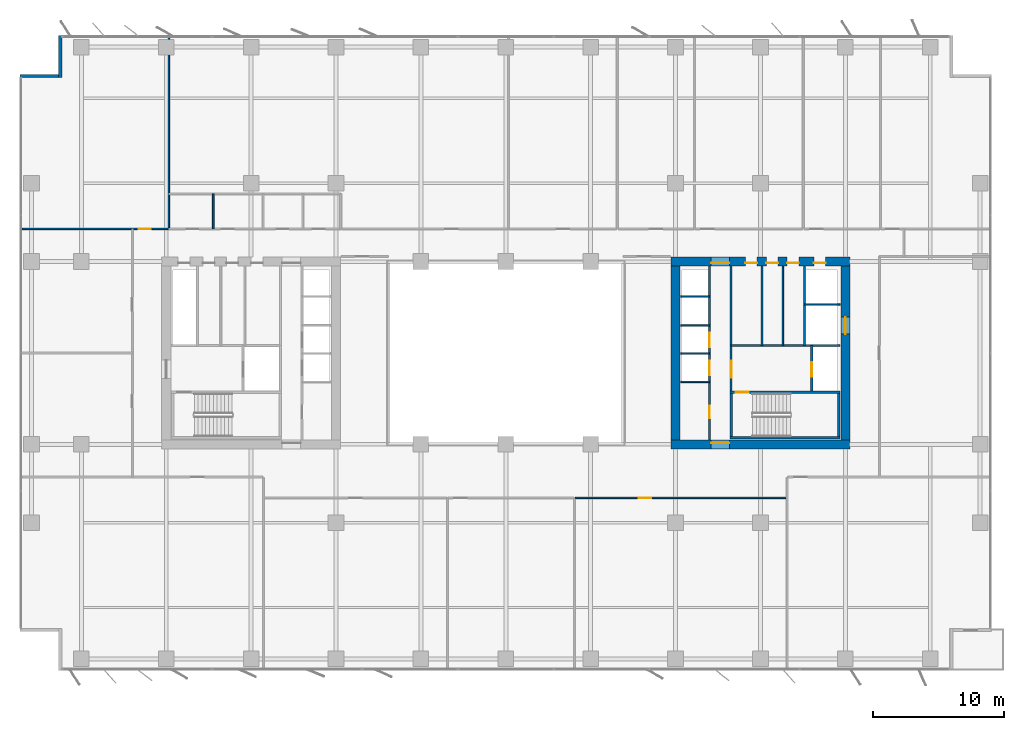
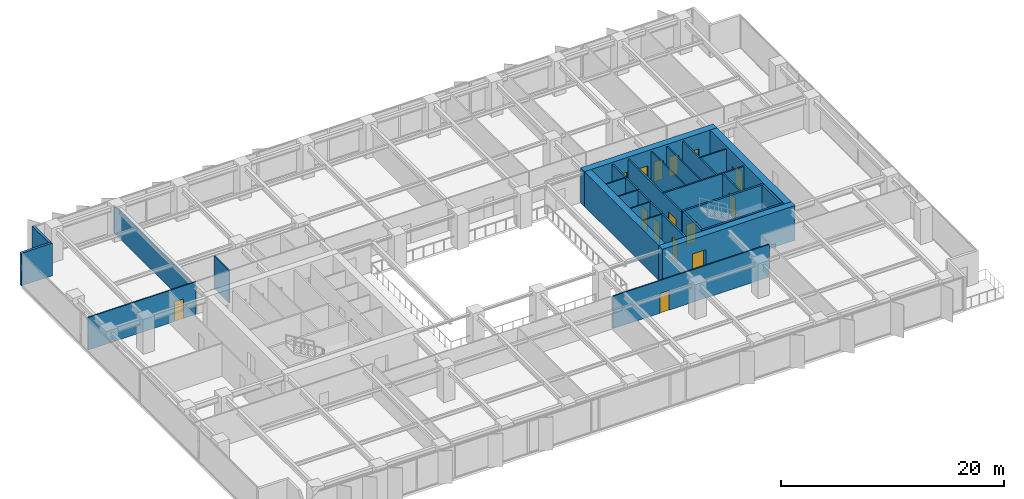
# One storey, part 14 of 20: 26 walls, 15 doors, 15 openings.
"""IFC4 building model written with IfcOpenShell, lengths in metres."""

from ifc_helpers import new_model, si_unit, direction, frame, frame_2d, origin, place, context, subcontext, project, spatial, rectangle, extrude, material, layer, layer_set, type_object, element, fill, save


model = new_model("IFC4")

# Units and contexts
model_context = context("Model", 3, precision=1e-05, world=origin(), true_north=direction((0.0, 1.0)))
body_context = subcontext(model_context, "Body", "Model", "MODEL_VIEW")
ifc_project = project(units=[si_unit("LENGTHUNIT", "METRE"), si_unit("AREAUNIT", "SQUARE_METRE"), si_unit("VOLUMEUNIT", "CUBIC_METRE"), si_unit("PLANEANGLEUNIT", "RADIAN"), si_unit("MASSUNIT", "GRAM", prefix="KILO")], contexts=[model_context])

# Site, building, storey
site_placement = place(None, origin())
site = spatial("IfcSite", under=ifc_project, at=site_placement, CompositionType="ELEMENT")
building_placement = place(site_placement, origin())
building = spatial("IfcBuilding", under=site, at=building_placement, Name="Putna Gate Headquarters", CompositionType="ELEMENT")
storey_placement = place(building_placement, frame((0.0, 0.0, 112.60009765625)))
storey = spatial("IfcBuildingStorey", under=building, at=storey_placement, Name="L27", CompositionType="ELEMENT", Elevation=112.60009765625)

# Wall, opening, door
ifc_material_1 = material(Name="Concrete C60/75", Category="concrete")
ifc_layer_1 = layer(ifc_material_1, 0.699951171875)
ifc_layer_set_1 = layer_set([ifc_layer_1], Name="Concrete C60/75")
wall_type_1 = type_object("IfcWallType", Name="WALL-CORE-700", PredefinedType="SHEAR", material=ifc_layer_set_1)
wall_1_placement = place(storey_placement, frame((51.64990234375, 19.0, 0.0), z_axis=(0.0, 0.0, 1.0), x_axis=(1.0, 0.0, 0.0)))
wall_1 = element("IfcWall", 1, at=wall_1_placement, inside=storey, type_object=wall_type_1, Name="L27 EC Split Core Shear Wall S", PredefinedType="SHEAR", context=body_context, shape_type="SweptSolid", body=[
    extrude(rectangle(XDim=13.7001953125, YDim=0.699951171875, at=frame_2d((6.85009765625, 0.0))), origin(), (0.0, 0.0, 1.0), 3.7998046875),
])
opening_1_placement = place(wall_1_placement, frame((3.070068359375, 0.0, 0.0)))
opening_1 = element("IfcOpeningElement", 2, at=opening_1_placement, cuts=wall_1, Name="Opening FDD-140", PredefinedType="OPENING", context=body_context, shape_type="SweptSolid", body=[
    extrude(rectangle(XDim=1.39990234375, YDim=2.199951171875, at=frame_2d((0.699951171875, 1.10009765625))), frame((0.0, 0.35986328125, 0.0), z_axis=(0.0, -1.0, 0.0), x_axis=(1.0, 0.0, 0.0)), (0.0, 0.0, 1.0), 0.719970703125),
])
ifc_material_2 = material(Name="Double steel fire door", Category="steel")
door_type_1 = type_object("IfcDoorType", Name="DOOR-FIRE-DBL-1400", OperationType="DOUBLE_DOOR_SINGLE_SWING", PredefinedType="DOOR", material=ifc_material_2)
door_1_placement = place(opening_1_placement, origin())
door_1 = element("IfcDoor", 3, at=door_1_placement, inside=storey, type_object=door_type_1, Name="L27 East Lift Lobby South Door", OperationType="DOUBLE_DOOR_SINGLE_SWING", OverallHeight=2.199951171875, OverallWidth=1.39990234375, PredefinedType="DOOR", context=body_context, shape_type="SweptSolid", body=[
    extrude(rectangle(XDim=1.39990234375, YDim=2.199951171875, at=frame_2d((0.699951171875, 1.10009765625))), frame((0.0, 0.125, 0.0), z_axis=(0.0, -1.0, 0.0), x_axis=(1.0, 0.0, 0.0)), (0.0, 0.0, 1.0), 0.050048828125),
])
fill(opening_1, door_1)

# Wall, openings, doors
wall_2_placement = place(storey_placement, frame((51.64990234375, 33.0, 0.0), z_axis=(0.0, 0.0, 1.0), x_axis=(1.0, 0.0, 0.0)))
wall_2 = element("IfcWall", 4, at=wall_2_placement, inside=storey, type_object=wall_type_1, Name="L27 EC Split Core Shear Wall N", PredefinedType="SHEAR", context=body_context, shape_type="SweptSolid", body=[
    extrude(rectangle(XDim=13.7001953125, YDim=0.699951171875, at=frame_2d((6.85009765625, 0.0))), origin(), (0.0, 0.0, 1.0), 3.7998046875),
])
opening_2_placement = place(wall_2_placement, frame((3.070068359375, 0.0, 0.0)))
opening_2 = element("IfcOpeningElement", 5, at=opening_2_placement, cuts=wall_2, Name="Opening FDD-140", PredefinedType="OPENING", context=body_context, shape_type="SweptSolid", body=[
    extrude(rectangle(XDim=1.39990234375, YDim=2.199951171875, at=frame_2d((0.699951171875, 1.10009765625))), frame((0.0, 0.35986328125, 0.0), z_axis=(0.0, -1.0, 0.0), x_axis=(1.0, 0.0, 0.0)), (0.0, 0.0, 1.0), 0.719970703125),
])
opening_3_placement = place(wall_2_placement, frame((10.949951171875, 0.0, 0.0)))
opening_3 = element("IfcOpeningElement", 6, at=opening_3_placement, cuts=wall_2, Name="Opening RD-90", PredefinedType="OPENING", context=body_context, shape_type="SweptSolid", body=[
    extrude(rectangle(XDim=0.89990234375, YDim=2.14990234375, at=frame_2d((0.449951171875, 1.074951171875))), frame((0.0, 0.35986328125, 0.0), z_axis=(0.0, -1.0, 0.0), x_axis=(1.0, 0.0, 0.0)), (0.0, 0.0, 1.0), 0.719970703125),
])
opening_4_placement = place(wall_2_placement, frame((5.699951171875, 0.0, 0.0)))
opening_4 = element("IfcOpeningElement", 7, at=opening_4_placement, cuts=wall_2, Name="Opening IDS-90", PredefinedType="OPENING", context=body_context, shape_type="SweptSolid", body=[
    extrude(rectangle(XDim=0.89990234375, YDim=2.14990234375, at=frame_2d((0.449951171875, 1.074951171875))), frame((0.0, 0.35986328125, 0.0), z_axis=(0.0, -1.0, 0.0), x_axis=(1.0, 0.0, 0.0)), (0.0, 0.0, 1.0), 0.719970703125),
])
opening_5_placement = place(wall_2_placement, frame((7.300048828125, 0.0, 0.0)))
opening_5 = element("IfcOpeningElement", 8, at=opening_5_placement, cuts=wall_2, Name="Opening IDS-90", PredefinedType="OPENING", context=body_context, shape_type="SweptSolid", body=[
    extrude(rectangle(XDim=0.89990234375, YDim=2.14990234375, at=frame_2d((0.449951171875, 1.074951171875))), frame((0.0, 0.35986328125, 0.0), z_axis=(0.0, -1.0, 0.0), x_axis=(1.0, 0.0, 0.0)), (0.0, 0.0, 1.0), 0.719970703125),
])
opening_6_placement = place(wall_2_placement, frame((8.89990234375, 0.0, 0.0)))
opening_6 = element("IfcOpeningElement", 9, at=opening_6_placement, cuts=wall_2, Name="Opening IDS-90", PredefinedType="OPENING", context=body_context, shape_type="SweptSolid", body=[
    extrude(rectangle(XDim=0.89990234375, YDim=2.14990234375, at=frame_2d((0.449951171875, 1.074951171875))), frame((0.0, 0.35986328125, 0.0), z_axis=(0.0, -1.0, 0.0), x_axis=(1.0, 0.0, 0.0)), (0.0, 0.0, 1.0), 0.719970703125),
])
door_2_placement = place(opening_2_placement, origin())
door_2 = element("IfcDoor", 10, at=door_2_placement, inside=storey, type_object=door_type_1, Name="L27 East Lift Lobby North Door", OperationType="DOUBLE_DOOR_SINGLE_SWING", OverallHeight=2.199951171875, OverallWidth=1.39990234375, PredefinedType="DOOR", context=body_context, shape_type="SweptSolid", body=[
    extrude(rectangle(XDim=1.39990234375, YDim=2.199951171875, at=frame_2d((0.699951171875, 1.10009765625))), frame((0.0, -0.0751953125, 0.0), z_axis=(0.0, -1.0, 0.0), x_axis=(1.0, 0.0, 0.0)), (0.0, 0.0, 1.0), 0.050048828125),
])
fill(opening_2, door_2)
ifc_material_3 = material(Name="Fire-rated utility door")
door_type_2 = type_object("IfcDoorType", Name="DOOR-INT-900", OperationType="NOTDEFINED", PredefinedType="DOOR", material=ifc_material_3)
door_3_placement = place(opening_4_placement, origin())
door_3 = element("IfcDoor", 11, at=door_3_placement, inside=storey, type_object=door_type_2, Name="L27 East Cleaner Store Door", OperationType="SINGLE_SWING_RIGHT", OverallHeight=2.14990234375, OverallWidth=0.89990234375, PredefinedType="DOOR", context=body_context, shape_type="SweptSolid", body=[
    extrude(rectangle(XDim=0.89990234375, YDim=2.14990234375, at=frame_2d((0.449951171875, 1.074951171875))), frame((0.0, -0.0751953125, 0.0), z_axis=(0.0, -1.0, 0.0), x_axis=(1.0, 0.0, 0.0)), (0.0, 0.0, 1.0), 0.050048828125),
])
fill(opening_4, door_3)
door_4_placement = place(opening_5_placement, origin())
door_4 = element("IfcDoor", 12, at=door_4_placement, inside=storey, type_object=door_type_2, Name="L27 BMS Outstation Door", OperationType="SINGLE_SWING_LEFT", OverallHeight=2.14990234375, OverallWidth=0.89990234375, PredefinedType="DOOR", context=body_context, shape_type="SweptSolid", body=[
    extrude(rectangle(XDim=0.89990234375, YDim=2.14990234375, at=frame_2d((0.449951171875, 1.074951171875))), frame((0.0, -0.0751953125, 0.0), z_axis=(0.0, -1.0, 0.0), x_axis=(1.0, 0.0, 0.0)), (0.0, 0.0, 1.0), 0.050048828125),
])
fill(opening_5, door_4)
door_5_placement = place(opening_6_placement, origin())
door_5 = element("IfcDoor", 13, at=door_5_placement, inside=storey, type_object=door_type_2, Name="L27 Facilities Equipment Store Door", OperationType="SINGLE_SWING_RIGHT", OverallHeight=2.14990234375, OverallWidth=0.89990234375, PredefinedType="DOOR", context=body_context, shape_type="SweptSolid", body=[
    extrude(rectangle(XDim=0.89990234375, YDim=2.14990234375, at=frame_2d((0.449951171875, 1.074951171875))), frame((0.0, -0.0751953125, 0.0), z_axis=(0.0, -1.0, 0.0), x_axis=(1.0, 0.0, 0.0)), (0.0, 0.0, 1.0), 0.050048828125),
])
fill(opening_6, door_5)
ifc_material_4 = material(Name="Steel riser access fire door", Category="steel")
door_type_3 = type_object("IfcDoorType", Name="DOOR-RISER-900", OperationType="NOTDEFINED", PredefinedType="DOOR", material=ifc_material_4)
door_6_placement = place(opening_3_placement, origin())
door_6 = element("IfcDoor", 14, at=door_6_placement, inside=storey, type_object=door_type_3, Name="L27 East Riser Access Door", OperationType="SINGLE_SWING_LEFT", OverallHeight=2.14990234375, OverallWidth=0.89990234375, PredefinedType="DOOR", context=body_context, shape_type="SweptSolid", body=[
    extrude(rectangle(XDim=0.89990234375, YDim=2.14990234375, at=frame_2d((0.449951171875, 1.074951171875))), frame((0.0, -0.0751953125, 0.0), z_axis=(0.0, -1.0, 0.0), x_axis=(1.0, 0.0, 0.0)), (0.0, 0.0, 1.0), 0.050048828125),
])
fill(opening_3, door_6)

# Wall
wall_3_placement = place(storey_placement, frame((52.0, 19.35009765625, 0.0), z_axis=(0.0, 0.0, 1.0), x_axis=(0.0, 1.0, 0.0)))
element("IfcWall", 15, at=wall_3_placement, inside=storey, type_object=wall_type_1, Name="L27 EC Split Core Shear Wall W", PredefinedType="SHEAR", context=body_context, shape_type="SweptSolid", body=[
    extrude(rectangle(XDim=13.2998046875, YDim=0.699951171875, at=frame_2d((6.64990234375, 0.0))), origin(), (0.0, 0.0, 1.0), 3.7998046875),
])

# Wall, opening, door
wall_4_placement = place(storey_placement, frame((65.0, 19.35009765625, 0.0), z_axis=(0.0, 0.0, 1.0), x_axis=(0.0, 1.0, 0.0)))
wall_4 = element("IfcWall", 16, at=wall_4_placement, inside=storey, type_object=wall_type_1, Name="L27 EC Split Core Shear Wall E", PredefinedType="SHEAR", context=body_context, shape_type="SweptSolid", body=[
    extrude(rectangle(XDim=13.2998046875, YDim=0.699951171875, at=frame_2d((6.64990234375, 0.0))), origin(), (0.0, 0.0, 1.0), 3.7998046875),
])
opening_7_placement = place(wall_4_placement, frame((8.10009765625, 0.0, 0.0)))
opening_7 = element("IfcOpeningElement", 17, at=opening_7_placement, cuts=wall_4, Name="Opening LD-2", PredefinedType="OPENING", context=body_context, shape_type="SweptSolid", body=[
    extrude(rectangle(XDim=1.300048828125, YDim=2.199951171875, at=frame_2d((0.64990234375, 1.10009765625))), frame((0.0, 0.35986328125, 0.0), z_axis=(0.0, -1.0, 0.0), x_axis=(1.0, 0.0, 0.0)), (0.0, 0.0, 1.0), 0.719970703125),
])
ifc_material_5 = material(Name="Heavy-duty goods lift sliding landing door")
door_type_4 = type_object("IfcDoorType", Name="DOOR-LIFT-1300", OperationType="DOUBLE_DOOR_SLIDING", PredefinedType="DOOR", material=ifc_material_5)
door_7_placement = place(opening_7_placement, origin())
door_7 = element("IfcDoor", 18, at=door_7_placement, inside=storey, type_object=door_type_4, Name="L27 Goods Lift Landing Door LD-15", OperationType="DOUBLE_DOOR_SLIDING", OverallHeight=2.199951171875, OverallWidth=1.300048828125, PredefinedType="DOOR", context=body_context, shape_type="SweptSolid", body=[
    extrude(rectangle(XDim=1.300048828125, YDim=2.199951171875, at=frame_2d((0.64990234375, 1.10009765625))), frame((0.0, 0.02490234375, 0.0), z_axis=(0.0, -1.0, 0.0), x_axis=(1.0, 0.0, 0.0)), (0.0, 0.0, 1.0), 0.050048828125),
])
fill(opening_7, door_7)

# Walls
ifc_material_6 = material(Name="Precast concrete C40/50", Category="concrete")
ifc_layer_2 = layer(ifc_material_6, 0.239990234375)
ifc_layer_set_2 = layer_set([ifc_layer_2], Name="Precast concrete C40/50")
wall_type_2 = type_object("IfcWallType", Name="WALL-EXT-TERR-240", PredefinedType="STANDARD", material=ifc_layer_set_2)
for number, where, z_axis, x_axis, name in (
    (19, (4.8798828125, 47.10009765625, 0.0), (0.0, 0.0, 1.0), (0.0, 1.0, 0.0), "L27 Corner Notch Return Wall NW-V"),
    (20, (1.800048828125, 47.219970703125, 0.0), (0.0, 0.0, 1.0), (1.0, 0.0, 0.0), "L27 Corner Notch Return Wall NW-H"),
):
    element("IfcWall", number, at=place(storey_placement, frame(where, z_axis=z_axis, x_axis=x_axis)), inside=storey, type_object=wall_type_2, Name=name, PredefinedType="STANDARD", context=body_context, shape_type="SweptSolid", body=[
        extrude(rectangle(XDim=3.199951171875, YDim=0.239990234375, at=frame_2d((1.60009765625, 0.0))), origin(), (0.0, 0.0, 1.0), 3.56494140625),
    ])
ifc_material_7 = material(Name="Acoustic gypsum board on metal stud")
ifc_layer_3 = layer(ifc_material_7, 0.1201171875)
ifc_layer_set_3 = layer_set([ifc_layer_3], Name="Acoustic gypsum board on metal stud")
wall_type_3 = type_object("IfcWallType", Name="WALL-PART-120", PredefinedType="PARTITIONING", material=ifc_layer_set_3)
wall_5_placement = place(storey_placement, frame((13.199951171875, 35.56005859375, 0.0), z_axis=(0.0, 0.0, 1.0), x_axis=(0.0, 1.0, 0.0)))
element("IfcWall", 21, at=wall_5_placement, inside=storey, type_object=wall_type_3, Name="L27 Interior Wall PART-L27-NB-DIV-01", PredefinedType="PARTITIONING", context=body_context, shape_type="SweptSolid", body=[
    extrude(rectangle(XDim=14.719970703125, YDim=0.1201171875, at=frame_2d((7.35986328125, 0.0))), origin(), (0.0, 0.0, 1.0), 2.96484375),
])
ifc_material_8 = material(Name="Fire-rated shaftwall gypsum board on metal stud")
ifc_layer_4 = layer(ifc_material_8, 0.1201171875)
ifc_layer_set_4 = layer_set([ifc_layer_4], Name="Fire-rated shaftwall gypsum board on metal stud")
wall_type_4 = type_object("IfcWallType", Name="WALL-PART-120-EI120", PredefinedType="PARTITIONING", material=ifc_layer_set_4)
for number, where, z_axis, x_axis, name in (
    (22, (52.39990234375, 25.949951171875, 0.0), (0.0, 0.0, 1.0), (1.0, 0.0, 0.0), "L27 Interior Wall CWINT-L27-EC-LF07-DIV"),
    (23, (52.39990234375, 28.1201171875, 0.0), (0.0, 0.0, 1.0), (1.0, 0.0, 0.0), "L27 Interior Wall CWINT-L27-EC-LF08-DIV"),
    (24, (52.39990234375, 30.31005859375, 0.0), (0.0, 0.0, 1.0), (1.0, 0.0, 0.0), "L27 Interior Wall CWINT-L27-EC-LF11-DIV"),
):
    element("IfcWall", number, at=place(storey_placement, frame(where, z_axis=z_axis, x_axis=x_axis)), inside=storey, type_object=wall_type_4, Name=name, PredefinedType="PARTITIONING", context=body_context, shape_type="SweptSolid", body=[
        extrude(rectangle(XDim=2.2001953125, YDim=0.1201171875, at=frame_2d((1.10009765625, 0.0))), origin(), (0.0, 0.0, 1.0), 3.56494140625),
    ])
wall_6_placement = place(storey_placement, frame((61.8701171875, 29.699951171875, 0.0), z_axis=(0.0, 0.0, 1.0), x_axis=(1.0, 0.0, 0.0)))
element("IfcWall", 25, at=wall_6_placement, inside=storey, type_object=wall_type_4, Name="L27 Interior Wall CWINT-L27-EC-LF15-N", PredefinedType="PARTITIONING", context=body_context, shape_type="SweptSolid", body=[
    extrude(rectangle(XDim=2.72998046875, YDim=0.1201171875, at=frame_2d((1.364990234375, 0.0))), origin(), (0.0, 0.0, 1.0), 3.56494140625),
])
ifc_material_9 = material(Name="Fire-rated gypsum board on metal stud")
ifc_layer_5 = layer(ifc_material_9, 0.1201171875)
ifc_layer_set_5 = layer_set([ifc_layer_5], Name="Fire-rated gypsum board on metal stud")
wall_type_5 = type_object("IfcWallType", Name="WALL-PART-120-RATED", PredefinedType="PARTITIONING", material=ifc_layer_set_5)
wall_7_placement = place(storey_placement, frame((52.39990234375, 23.780029296875, 0.0), z_axis=(0.0, 0.0, 1.0), x_axis=(1.0, 0.0, 0.0)))
element("IfcWall", 26, at=wall_7_placement, inside=storey, type_object=wall_type_5, Name="L27 Interior Wall CWINT-L27-EC-LF04-DIV", PredefinedType="PARTITIONING", context=body_context, shape_type="SweptSolid", body=[
    extrude(rectangle(XDim=2.2001953125, YDim=0.1201171875, at=frame_2d((1.10009765625, 0.0))), origin(), (0.0, 0.0, 1.0), 3.56494140625),
])
for number, where, z_axis, x_axis, name in (
    (27, (58.6201171875, 26.56005859375, 0.0), (0.0, 0.0, 1.0), (0.0, 1.0, 0.0), "L27 Interior Wall CWINT-L27-EC-K2-D1"),
    (28, (60.219970703125, 26.56005859375, 0.0), (0.0, 0.0, 1.0), (0.0, 1.0, 0.0), "L27 Interior Wall CWINT-L27-EC-K2-D2"),
):
    element("IfcWall", number, at=place(storey_placement, frame(where, z_axis=z_axis, x_axis=x_axis)), inside=storey, type_object=wall_type_5, Name=name, PredefinedType="PARTITIONING", context=body_context, shape_type="SweptSolid", body=[
        extrude(rectangle(XDim=6.08984375, YDim=0.1201171875, at=frame_2d((3.044921875, 0.0))), origin(), (0.0, 0.0, 1.0), 3.56494140625),
    ])
wall_8_placement = place(storey_placement, frame((16.60009765625, 35.5, 0.0), z_axis=(0.0, 0.0, 1.0), x_axis=(0.0, 1.0, 0.0)))
element("IfcWall", 29, at=wall_8_placement, inside=storey, type_object=wall_type_5, Name="L27 Interior Wall PART-L27-SAN-DIV-1", PredefinedType="PARTITIONING", context=body_context, shape_type="SweptSolid", body=[
    extrude(rectangle(XDim=2.679931640625, YDim=0.1201171875, at=frame_2d((1.33984375, 0.0))), origin(), (0.0, 0.0, 1.0), 3.56494140625),
])

# Wall, opening, door
wall_9_placement = place(storey_placement, frame((1.97998046875, 35.5, 0.0), z_axis=(0.0, 0.0, 1.0), x_axis=(1.0, 0.0, 0.0)))
wall_9 = element("IfcWall", 30, at=wall_9_placement, inside=storey, type_object=wall_type_5, Name="L27 Interior Wall PART-L27-NB-CW-01", PredefinedType="PARTITIONING", context=body_context, shape_type="SweptSolid", body=[
    extrude(rectangle(XDim=11.159912109375, YDim=0.1201171875, at=frame_2d((5.580078125, 0.0))), origin(), (0.0, 0.0, 1.0), 3.56494140625),
])
opening_8_placement = place(wall_9_placement, frame((8.89990234375, 0.0, 0.0)))
opening_8 = element("IfcOpeningElement", 31, at=opening_8_placement, cuts=wall_9, Name="Opening FD-95", PredefinedType="OPENING", context=body_context, shape_type="SweptSolid", body=[
    extrude(rectangle(XDim=0.949951171875, YDim=2.14990234375, at=frame_2d((0.47509765625, 1.074951171875))), frame((0.0, 0.070068359375, 0.0), z_axis=(0.0, -1.0, 0.0), x_axis=(1.0, 0.0, 0.0)), (0.0, 0.0, 1.0), 0.14013671875),
])
ifc_material_10 = material(Name="Acoustic timber fire door", Category="wood")
door_type_5 = type_object("IfcDoorType", Name="DOOR-FIRE-950", OperationType="NOTDEFINED", PredefinedType="DOOR", material=ifc_material_10)
door_8_placement = place(opening_8_placement, origin())
door_8 = element("IfcDoor", 32, at=door_8_placement, inside=storey, type_object=door_type_5, Name="L27 Quiet Wellness Focus Studio 1 Door", OperationType="SINGLE_SWING_LEFT", OverallHeight=2.14990234375, OverallWidth=0.949951171875, PredefinedType="DOOR", context=body_context, shape_type="SweptSolid", body=[
    extrude(rectangle(XDim=0.949951171875, YDim=2.14990234375, at=frame_2d((0.47509765625, 1.074951171875))), frame((0.0, 0.02490234375, 0.0), z_axis=(0.0, -1.0, 0.0), x_axis=(1.0, 0.0, 0.0)), (0.0, 0.0, 1.0), 0.050048828125),
])
fill(opening_8, door_8)

wall_10_placement = place(storey_placement, frame((44.33154296875, 14.89990234375, 0.0), z_axis=(0.0, 0.0, 1.0), x_axis=(1.0, 0.0, 0.0)))
wall_10 = element("IfcWall", 33, at=wall_10_placement, inside=storey, type_object=wall_type_5, Name="L27 Interior Wall PART-L27-SB-CW-04", PredefinedType="PARTITIONING", context=body_context, shape_type="SweptSolid", body=[
    extrude(rectangle(XDim=16.154052734375, YDim=0.1201171875, at=frame_2d((8.0771484375, 0.0))), origin(), (0.0, 0.0, 1.0), 3.56494140625),
])
opening_9_placement = place(wall_10_placement, frame((4.84619140625, 0.0, 0.0)))
opening_9 = element("IfcOpeningElement", 34, at=opening_9_placement, cuts=wall_10, Name="Opening FD-95", PredefinedType="OPENING", context=body_context, shape_type="SweptSolid", body=[
    extrude(rectangle(XDim=0.949951171875, YDim=2.14990234375, at=frame_2d((0.47509765625, 1.074951171875))), frame((0.0, 0.070068359375, 0.0), z_axis=(0.0, -1.0, 0.0), x_axis=(1.0, 0.0, 0.0)), (0.0, 0.0, 1.0), 0.14013671875),
])
door_9_placement = place(opening_9_placement, origin())
door_9 = element("IfcDoor", 35, at=door_9_placement, inside=storey, type_object=door_type_5, Name="L27 Collaborative Breakout Lounge 3 Door", OperationType="SINGLE_SWING_LEFT", OverallHeight=2.14990234375, OverallWidth=0.949951171875, PredefinedType="DOOR", context=body_context, shape_type="SweptSolid", body=[
    extrude(rectangle(XDim=0.949951171875, YDim=2.14990234375, at=frame_2d((0.47509765625, 1.074951171875))), frame((0.0, 0.02490234375, 0.0), z_axis=(0.0, -1.0, 0.0), x_axis=(1.0, 0.0, 0.0)), (0.0, 0.0, 1.0), 0.050048828125),
])
fill(opening_9, door_9)

# Wall, openings, doors
ifc_material_11 = material(Name="Concrete C40/50", Category="concrete")
ifc_layer_6 = layer(ifc_material_11, 0.159912109375)
ifc_layer_set_6 = layer_set([ifc_layer_6], Name="Concrete C40/50")
wall_type_6 = type_object("IfcWallType", Name="WALL-SHAFT-160", PredefinedType="STANDARD", material=ifc_layer_set_6)
wall_11_placement = place(storey_placement, frame((54.60009765625, 19.35009765625, 0.0), z_axis=(0.0, 0.0, 1.0), x_axis=(0.0, 1.0, 0.0)))
wall_11 = element("IfcWall", 36, at=wall_11_placement, inside=storey, type_object=wall_type_6, Name="L27 Interior Wall CWINT-L27-EC-PL-WALL", PredefinedType="STANDARD", context=body_context, shape_type="SweptSolid", body=[
    extrude(rectangle(XDim=13.2998046875, YDim=0.159912109375, at=frame_2d((6.64990234375, 0.0))), origin(), (0.0, 0.0, 1.0), 3.56494140625),
])
opening_10_placement = place(wall_11_placement, frame((1.64990234375, 0.0, 0.0)))
opening_10 = element("IfcOpeningElement", 37, at=opening_10_placement, cuts=wall_11, Name="Opening IDS-95", PredefinedType="OPENING", context=body_context, shape_type="SweptSolid", body=[
    extrude(rectangle(XDim=0.949951171875, YDim=2.14990234375, at=frame_2d((0.47509765625, 1.074951171875))), frame((0.0, 0.08984375, 0.0), z_axis=(0.0, -1.0, 0.0), x_axis=(1.0, 0.0, 0.0)), (0.0, 0.0, 1.0), 0.179931640625),
])
opening_11_placement = place(wall_11_placement, frame((4.949951171875, 0.0, 0.0)))
opening_11 = element("IfcOpeningElement", 38, at=opening_11_placement, cuts=wall_11, Name="Opening LD-1", PredefinedType="OPENING", context=body_context, shape_type="SweptSolid", body=[
    extrude(rectangle(XDim=1.10009765625, YDim=2.199951171875, at=frame_2d((0.550048828125, 1.10009765625))), frame((0.0, 0.08984375, 0.0), z_axis=(0.0, -1.0, 0.0), x_axis=(1.0, 0.0, 0.0)), (0.0, 0.0, 1.0), 0.179931640625),
])
opening_12_placement = place(wall_11_placement, frame((7.10009765625, 0.0, 0.0)))
opening_12 = element("IfcOpeningElement", 39, at=opening_12_placement, cuts=wall_11, Name="Opening LD-1", PredefinedType="OPENING", context=body_context, shape_type="SweptSolid", body=[
    extrude(rectangle(XDim=1.10009765625, YDim=2.199951171875, at=frame_2d((0.550048828125, 1.10009765625))), frame((0.0, 0.08984375, 0.0), z_axis=(0.0, -1.0, 0.0), x_axis=(1.0, 0.0, 0.0)), (0.0, 0.0, 1.0), 0.179931640625),
])
ifc_material_12 = material(Name="Fire-rated service timber door", Category="wood")
door_type_6 = type_object("IfcDoorType", Name="DOOR-INT-950", OperationType="NOTDEFINED", PredefinedType="DOOR", material=ifc_material_12)
door_10_placement = place(opening_10_placement, origin())
door_10 = element("IfcDoor", 40, at=door_10_placement, inside=storey, type_object=door_type_6, Name="L27 Stationery Store Door", OperationType="SINGLE_SWING_RIGHT", OverallHeight=2.14990234375, OverallWidth=0.949951171875, PredefinedType="DOOR", context=body_context, shape_type="SweptSolid", body=[
    extrude(rectangle(XDim=0.949951171875, YDim=2.14990234375, at=frame_2d((0.47509765625, 1.074951171875))), frame((0.0, 0.02490234375, 0.0), z_axis=(0.0, -1.0, 0.0), x_axis=(1.0, 0.0, 0.0)), (0.0, 0.0, 1.0), 0.050048828125),
])
fill(opening_10, door_10)
ifc_material_13 = material(Name="Brushed bronze stainless lift landing door")
door_type_7 = type_object("IfcDoorType", Name="DOOR-LIFT-1100", OperationType="DOUBLE_DOOR_SLIDING", PredefinedType="DOOR", material=ifc_material_13)
door_11_placement = place(opening_11_placement, origin())
door_11 = element("IfcDoor", 41, at=door_11_placement, inside=storey, type_object=door_type_7, Name="L27 Lift Landing Door LD-07", OperationType="DOUBLE_DOOR_SLIDING", OverallHeight=2.199951171875, OverallWidth=1.10009765625, PredefinedType="DOOR", context=body_context, shape_type="SweptSolid", body=[
    extrude(rectangle(XDim=1.10009765625, YDim=2.199951171875, at=frame_2d((0.550048828125, 1.10009765625))), frame((0.0, 0.02490234375, 0.0), z_axis=(0.0, -1.0, 0.0), x_axis=(1.0, 0.0, 0.0)), (0.0, 0.0, 1.0), 0.050048828125),
])
fill(opening_11, door_11)
door_12_placement = place(opening_12_placement, origin())
door_12 = element("IfcDoor", 42, at=door_12_placement, inside=storey, type_object=door_type_7, Name="L27 Lift Landing Door LD-08", OperationType="DOUBLE_DOOR_SLIDING", OverallHeight=2.199951171875, OverallWidth=1.10009765625, PredefinedType="DOOR", context=body_context, shape_type="SweptSolid", body=[
    extrude(rectangle(XDim=1.10009765625, YDim=2.199951171875, at=frame_2d((0.550048828125, 1.10009765625))), frame((0.0, 0.02490234375, 0.0), z_axis=(0.0, -1.0, 0.0), x_axis=(1.0, 0.0, 0.0)), (0.0, 0.0, 1.0), 0.050048828125),
])
fill(opening_12, door_12)

# Wall, opening, door
wall_12_placement = place(storey_placement, frame((56.260009765625, 23.090087890625, 0.0), z_axis=(0.0, 0.0, 1.0), x_axis=(0.0, 1.0, 0.0)))
wall_12 = element("IfcWall", 43, at=wall_12_placement, inside=storey, type_object=wall_type_6, Name="L27 Interior Wall CWINT-L27-EC-LOB-E", PredefinedType="STANDARD", context=body_context, shape_type="SweptSolid", body=[
    extrude(rectangle(XDim=9.559814453125, YDim=0.159912109375, at=frame_2d((4.77978515625, 0.0))), origin(), (0.0, 0.0, 1.0), 3.56494140625),
])
opening_13_placement = place(wall_12_placement, frame((1.010009765625, 0.0, 0.0)))
opening_13 = element("IfcOpeningElement", 44, at=opening_13_placement, cuts=wall_12, Name="Opening FDD-130", PredefinedType="OPENING", context=body_context, shape_type="SweptSolid", body=[
    extrude(rectangle(XDim=1.300048828125, YDim=2.199951171875, at=frame_2d((0.64990234375, 1.10009765625))), frame((0.0, 0.08984375, 0.0), z_axis=(0.0, -1.0, 0.0), x_axis=(1.0, 0.0, 0.0)), (0.0, 0.0, 1.0), 0.179931640625),
])
ifc_material_14 = material(Name="Double steel lobby fire door", Category="steel")
door_type_8 = type_object("IfcDoorType", Name="DOOR-FIRE-DBL-1300", OperationType="DOUBLE_DOOR_SINGLE_SWING", PredefinedType="DOOR", material=ifc_material_14)
door_13_placement = place(opening_13_placement, origin())
door_13 = element("IfcDoor", 45, at=door_13_placement, inside=storey, type_object=door_type_8, Name="L27 East Firefighting Lobby Door", OperationType="DOUBLE_DOOR_SINGLE_SWING", OverallHeight=2.199951171875, OverallWidth=1.300048828125, PredefinedType="DOOR", context=body_context, shape_type="SweptSolid", body=[
    extrude(rectangle(XDim=1.300048828125, YDim=2.199951171875, at=frame_2d((0.64990234375, 1.10009765625))), frame((0.0, 0.02490234375, 0.0), z_axis=(0.0, -1.0, 0.0), x_axis=(1.0, 0.0, 0.0)), (0.0, 0.0, 1.0), 0.050048828125),
])
fill(opening_13, door_13)

wall_13_placement = place(storey_placement, frame((62.429931640625, 23.090087890625, 0.0), z_axis=(0.0, 0.0, 1.0), x_axis=(0.0, 1.0, 0.0)))
wall_13 = element("IfcWall", 46, at=wall_13_placement, inside=storey, type_object=wall_type_6, Name="L27 Interior Wall CWINT-L27-EC-LF14-W", PredefinedType="STANDARD", context=body_context, shape_type="SweptSolid", body=[
    extrude(rectangle(XDim=3.469970703125, YDim=0.159912109375, at=frame_2d((1.73486328125, 0.0))), origin(), (0.0, 0.0, 1.0), 3.56494140625),
])
opening_14_placement = place(wall_13_placement, frame((1.10009765625, 0.0, 0.0)))
opening_14 = element("IfcOpeningElement", 47, at=opening_14_placement, cuts=wall_13, Name="Opening LD-1", PredefinedType="OPENING", context=body_context, shape_type="SweptSolid", body=[
    extrude(rectangle(XDim=1.10009765625, YDim=2.199951171875, at=frame_2d((0.550048828125, 1.10009765625))), frame((0.0, 0.08984375, 0.0), z_axis=(0.0, -1.0, 0.0), x_axis=(1.0, 0.0, 0.0)), (0.0, 0.0, 1.0), 0.179931640625),
])
door_14_placement = place(opening_14_placement, origin())
door_14 = element("IfcDoor", 48, at=door_14_placement, inside=storey, type_object=door_type_7, Name="L27 Lift Landing Door LD-14", OperationType="DOUBLE_DOOR_SLIDING", OverallHeight=2.199951171875, OverallWidth=1.10009765625, PredefinedType="DOOR", context=body_context, shape_type="SweptSolid", body=[
    extrude(rectangle(XDim=1.10009765625, YDim=2.199951171875, at=frame_2d((0.550048828125, 1.10009765625))), frame((0.0, 0.02490234375, 0.0), z_axis=(0.0, -1.0, 0.0), x_axis=(1.0, 0.0, 0.0)), (0.0, 0.0, 1.0), 0.050048828125),
])
fill(opening_14, door_14)

# Walls
wall_14_placement = place(storey_placement, frame((56.260009765625, 26.56005859375, 0.0), z_axis=(0.0, 0.0, 1.0), x_axis=(1.0, 0.0, 0.0)))
element("IfcWall", 49, at=wall_14_placement, inside=storey, type_object=wall_type_6, Name="L27 Interior Wall CWINT-L27-EC-FFL-N", PredefinedType="STANDARD", context=body_context, shape_type="SweptSolid", body=[
    extrude(rectangle(XDim=8.340087890625, YDim=0.159912109375, at=frame_2d((4.169921875, 0.0))), origin(), (0.0, 0.0, 1.0), 3.56494140625),
])
wall_15_placement = place(storey_placement, frame((61.8701171875, 26.56005859375, 0.0), z_axis=(0.0, 0.0, 1.0), x_axis=(0.0, 1.0, 0.0)))
element("IfcWall", 50, at=wall_15_placement, inside=storey, type_object=wall_type_6, Name="L27 Interior Wall CWINT-L27-EC-LF15-W", PredefinedType="STANDARD", context=body_context, shape_type="SweptSolid", body=[
    extrude(rectangle(XDim=6.08984375, YDim=0.159912109375, at=frame_2d((3.044921875, 0.0))), origin(), (0.0, 0.0, 1.0), 3.56494140625),
])
ifc_layer_7 = layer(ifc_material_11, 0.199951171875)
ifc_layer_set_7 = layer_set([ifc_layer_7], Name="Concrete C40/50")
wall_type_7 = type_object("IfcWallType", Name="WALL-SHAFT-RC200", PredefinedType="SHEAR", material=ifc_layer_set_7)
wall_16_placement = place(storey_placement, frame((56.159912109375, 19.510009765625, 0.0), z_axis=(0.0, 0.0, 1.0), x_axis=(1.0, 0.0, 0.0)))
element("IfcWall", 51, at=wall_16_placement, inside=storey, type_object=wall_type_7, Name="L27 Stair ST2 Structural Shaft Wall S", PredefinedType="SHEAR", context=body_context, shape_type="SweptSolid", body=[
    extrude(rectangle(XDim=8.43017578125, YDim=0.199951171875, at=frame_2d((4.215087890625, 0.0))), origin(), (0.0, 0.0, 1.0), 3.7998046875),
])

# Wall, opening, door
wall_17_placement = place(storey_placement, frame((56.159912109375, 22.989990234375, 0.0), z_axis=(0.0, 0.0, 1.0), x_axis=(1.0, 0.0, 0.0)))
wall_17 = element("IfcWall", 52, at=wall_17_placement, inside=storey, type_object=wall_type_7, Name="L27 Stair ST2 Structural Shaft Wall N", PredefinedType="SHEAR", context=body_context, shape_type="SweptSolid", body=[
    extrude(rectangle(XDim=8.43017578125, YDim=0.199951171875, at=frame_2d((4.215087890625, 0.0))), origin(), (0.0, 0.0, 1.0), 3.7998046875),
])
opening_15_placement = place(wall_17_placement, frame((0.449951171875, 0.0, 0.0)))
opening_15 = element("IfcOpeningElement", 53, at=opening_15_placement, cuts=wall_17, Name="Opening FD-100", PredefinedType="OPENING", context=body_context, shape_type="SweptSolid", body=[
    extrude(rectangle(XDim=1.0, YDim=2.14990234375, at=frame_2d((0.5, 1.074951171875))), frame((0.0, 0.10986328125, 0.0), z_axis=(0.0, -1.0, 0.0), x_axis=(1.0, 0.0, 0.0)), (0.0, 0.0, 1.0), 0.219970703125),
])
ifc_material_15 = material(Name="Powder-coated steel fire door", Category="steel")
door_type_9 = type_object("IfcDoorType", Name="DOOR-FIRE-1000", OperationType="NOTDEFINED", PredefinedType="DOOR", material=ifc_material_15)
door_15_placement = place(opening_15_placement, origin())
door_15 = element("IfcDoor", 54, at=door_15_placement, inside=storey, type_object=door_type_9, Name="L27 Stair ST2 Fire Door", OperationType="SINGLE_SWING_RIGHT", OverallHeight=2.14990234375, OverallWidth=1.0, PredefinedType="DOOR", context=body_context, shape_type="SweptSolid", body=[
    extrude(rectangle(XDim=1.0, YDim=2.14990234375, at=frame_2d((0.5, 1.074951171875))), frame((0.0, 0.02490234375, 0.0), z_axis=(0.0, -1.0, 0.0), x_axis=(1.0, 0.0, 0.0)), (0.0, 0.0, 1.0), 0.050048828125),
])
fill(opening_15, door_15)

# Walls
for number, where, z_axis, x_axis, name in (
    (55, (56.260009765625, 19.610107421875, 0.0), (0.0, 0.0, 1.0), (0.0, 1.0, 0.0), "L27 Stair ST2 Structural Shaft Wall W"),
    (56, (64.489990234375, 19.610107421875, 0.0), (0.0, 0.0, 1.0), (0.0, 1.0, 0.0), "L27 Stair ST2 Structural Shaft Wall E"),
):
    element("IfcWall", number, at=place(storey_placement, frame(where, z_axis=z_axis, x_axis=x_axis)), inside=storey, type_object=wall_type_7, Name=name, PredefinedType="SHEAR", context=body_context, shape_type="SweptSolid", body=[
        extrude(rectangle(XDim=3.27978515625, YDim=0.199951171875, at=frame_2d((1.639892578125, 0.0))), origin(), (0.0, 0.0, 1.0), 3.7998046875),
    ])

save(model, "model.ifc")
